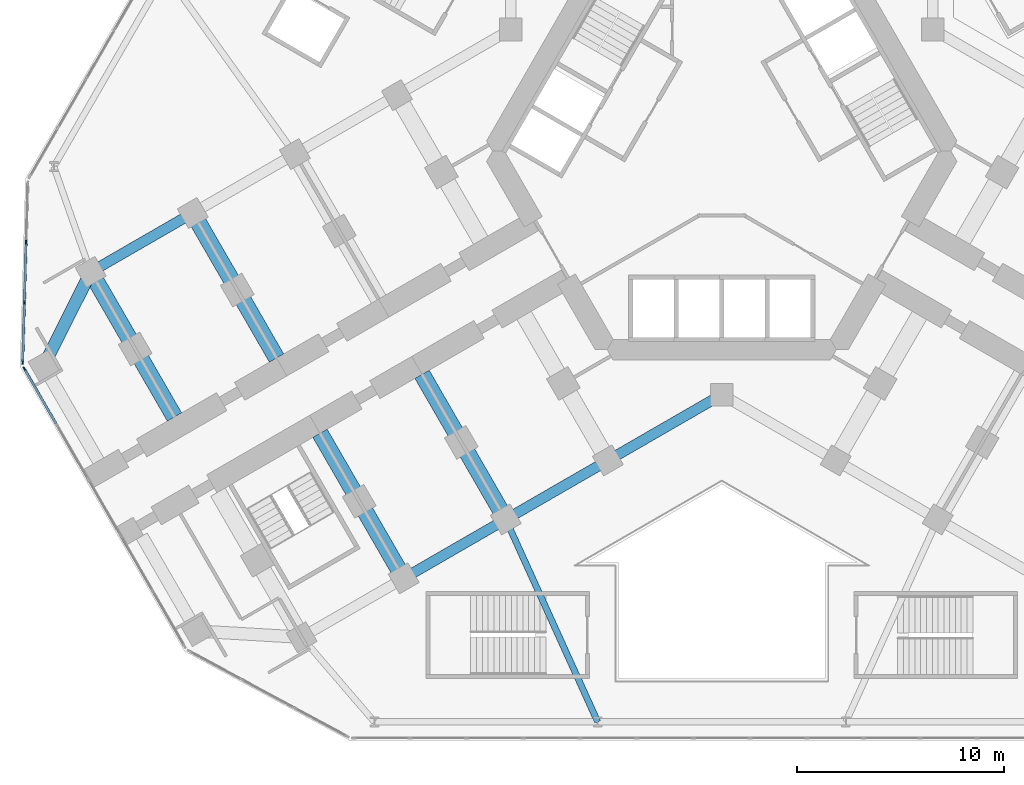
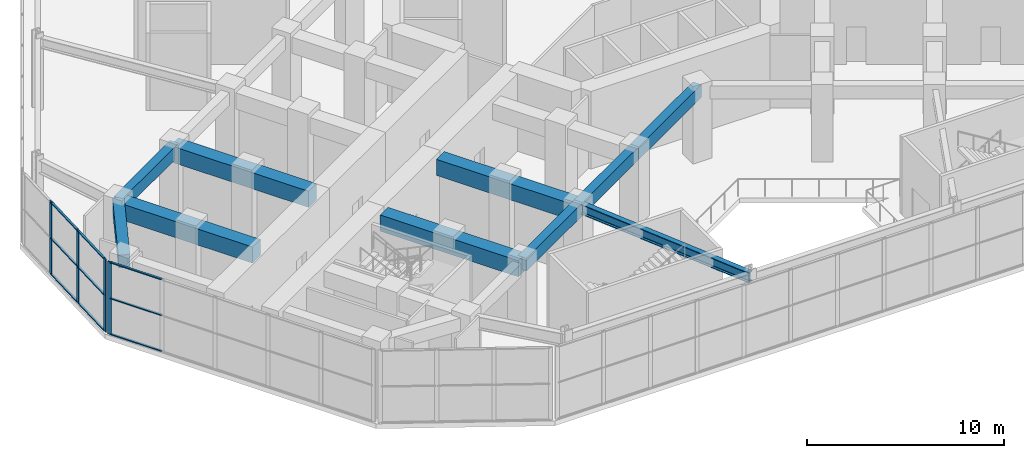
# One storey, part 3 of 21: 13 members, 10 beams, 2 elements without a shape of their own.
"""IFC4 building model written with IfcOpenShell, lengths in metres."""

import ifcopenshell
import ifcopenshell.guid

model = None  # the IFC model being written
_history = None  # IfcOwnerHistory: only IFC2X3 demands one
_inside = {}  # id of a spatial element -> (the spatial element, [elements in it])
_under = {}  # id of a project, library or spatial element -> (it, [spatial elements below it])
_declared = {}  # id of a project -> (the project, [libraries it declares])
_typed = {}  # id of a type object -> (the type object, [elements of that type])
_made_of = {}  # id of a material, layer set ... -> (it, [elements and type objects made of it])


def new_model(schema):
    """Start an empty IFC model of exactly this schema.

    Asked for "IFC4X3", IfcOpenShell would pick the latest addendum, in which some entities
    have other attributes; the version numbers below select the first issue.
    IFC2X3 requires an IfcOwnerHistory on every rooted entity: one is made here for all.
    """
    global model, _history
    if schema == "IFC4X3":
        model = ifcopenshell.file(schema_version=(4, 3, 0, 0))
    else:
        model = ifcopenshell.file(schema=schema)
    _inside.clear()
    _under.clear()
    _declared.clear()
    _typed.clear()
    _made_of.clear()
    _history = None
    if model.schema == "IFC2X3":
        org = make("IfcOrganization", Name="unknown")
        user = make(
            "IfcPersonAndOrganization",
            ThePerson=make("IfcPerson", FamilyName="unknown"),
            TheOrganization=org,
        )
        app = make(
            "IfcApplication",
            ApplicationDeveloper=org,
            Version="unknown",
            ApplicationFullName="unknown",
            ApplicationIdentifier="unknown",
        )
        _history = make(
            "IfcOwnerHistory",
            OwningUser=user,
            OwningApplication=app,
            ChangeAction="ADDED",
            CreationDate=0,
        )
    return model


def make(cls, **values):
    """One entity of the class cls with the attributes given. An attribute that is None is left unset."""
    return model.create_entity(
        cls, **{name: value for name, value in values.items() if value is not None}
    )


def rooted(cls, **values):
    """An entity with a GlobalId (a new one), such as an element, a storey or a relation."""
    return make(cls, GlobalId=ifcopenshell.guid.new(), OwnerHistory=_history, **values)


def si_unit(unit_type, name, prefix=None):
    """IfcSIUnit, for example si_unit("LENGTHUNIT", "METRE", prefix="MILLI")."""
    return make("IfcSIUnit", UnitType=unit_type, Prefix=prefix, Name=name)


def assignment(units):
    """IfcUnitAssignment: the units of a project."""
    return None if units is None else make("IfcUnitAssignment", Units=units)


def point(xyz):
    """IfcCartesianPoint."""
    return None if xyz is None else make("IfcCartesianPoint", Coordinates=xyz)


def direction(xyz):
    """IfcDirection."""
    return None if xyz is None else make("IfcDirection", DirectionRatios=xyz)


def frame(location, z_axis=None, x_axis=None):
    """IfcAxis2Placement3D, a coordinate frame: its origin and axes. An axis left out is left unset."""
    return make(
        "IfcAxis2Placement3D",
        Location=point(location),
        Axis=direction(z_axis),
        RefDirection=direction(x_axis),
    )


def frame_2d(location, x_axis=None):
    """IfcAxis2Placement2D, a coordinate frame in the plane: its origin and x axis."""
    return make(
        "IfcAxis2Placement2D", Location=point(location), RefDirection=direction(x_axis)
    )


def origin():
    """The frame at (0, 0, 0) with its axes left unset."""
    return frame((0.0, 0.0, 0.0))


def origin_2d():
    """The frame at (0, 0) in the plane with its x axis left unset."""
    return frame_2d((0.0, 0.0))


def place(relative_to, where):
    """IfcLocalPlacement: puts the frame where relative to a parent placement (None: the world)."""
    return make(
        "IfcLocalPlacement", PlacementRelTo=relative_to, RelativePlacement=where
    )


def context(
    kind, dimensions, precision=None, world=None, true_north=None, identifier=None
):
    """IfcGeometricRepresentationContext, for example the 3D "Model" context."""
    return make(
        "IfcGeometricRepresentationContext",
        ContextIdentifier=identifier,
        ContextType=kind,
        CoordinateSpaceDimension=dimensions,
        Precision=precision,
        WorldCoordinateSystem=world,
        TrueNorth=true_north,
    )


def subcontext(parent, identifier, kind, view, scale=None):
    """IfcGeometricRepresentationSubContext, for example "Body" below "Model"."""
    return make(
        "IfcGeometricRepresentationSubContext",
        ContextIdentifier=identifier,
        ContextType=kind,
        ParentContext=parent,
        TargetScale=scale,
        TargetView=view,
    )


def project(units=None, contexts=None):
    """IfcProject with its units and contexts."""
    return rooted(
        "IfcProject",
        Name="project",
        RepresentationContexts=contexts,
        UnitsInContext=assignment(units),
    )


def spatial(cls, under=None, at=None, **own):
    """A site, building, storey or space (cls), placed at a placement, below another one or the project."""
    s = rooted(cls, ObjectPlacement=at, **own)
    if under is not None:
        _under.setdefault(under.id(), (under, []))[1].append(s)
    return s


def profile(cls, at=None, kind="AREA", **sizes):
    """A parametric profile (cls). Its sizes go by their IFC names, for example OverallWidth=200.0."""
    return make(cls, ProfileType=kind, Position=at, **sizes)


def rectangle(**sizes):
    """IfcRectangleProfileDef."""
    return profile("IfcRectangleProfileDef", **sizes)


def i_section(**sizes):
    """IfcIShapeProfileDef."""
    return profile("IfcIShapeProfileDef", **sizes)


def extrude(swept, where, along, depth):
    """IfcExtrudedAreaSolid: the profile swept, set in the frame where, extruded along a direction by depth."""
    return make(
        "IfcExtrudedAreaSolid",
        SweptArea=swept,
        Position=where,
        ExtrudedDirection=direction(along),
        Depth=depth,
    )


def shape(context_of_items, identifier, shape_type, items):
    """IfcShapeRepresentation: the items that make up one representation, for example the "Body"."""
    return make(
        "IfcShapeRepresentation",
        ContextOfItems=context_of_items,
        RepresentationIdentifier=identifier,
        RepresentationType=shape_type,
        Items=items,
    )


def material(Name=None, Category=None):
    """IfcMaterial."""
    return make("IfcMaterial", Name=Name, Category=Category)


def material_profile(
    of_material, cross_section, Name=None, Category=None, Priority=None
):
    """IfcMaterialProfile: a cross section and its material."""
    return make(
        "IfcMaterialProfile",
        Name=Name,
        Material=of_material,
        Profile=cross_section,
        Priority=Priority,
        Category=Category,
    )


def profile_set(profiles, Name=None, composite=None):
    """IfcMaterialProfileSet."""
    return make(
        "IfcMaterialProfileSet",
        Name=Name,
        MaterialProfiles=profiles,
        CompositeProfile=composite,
    )


def made_of(thing, what):
    """Note that an element or type object is made of a material, layer set ...; save() writes the relation."""
    if what is not None:
        _made_of.setdefault(what.id(), (what, []))[1].append(thing)
    return thing


def type_object(cls, material=None, **own):
    """A type object (cls), such as IfcWallType, which elements share."""
    return made_of(rooted(cls, **own), material)


def element(
    cls,
    number,
    at=None,
    inside=None,
    cuts=None,
    type_object=None,
    material=None,
    context=None,
    identifier="Body",
    shape_type=None,
    held_by="IfcProductDefinitionShape",
    body=None,
    shapes=None,
    **own,
):
    """One element of the class cls, such as IfcWall. Its Tag is "e" and its number.

    at: its placement. inside: the storey or other place that contains it. cuts: it is an
    opening in that element (IfcRelVoidsElement). A single representation is given by context,
    identifier, shape_type and body (its items); several are given by shapes. held_by: the class
    of the entity that holds the representations. save() writes the other relations.
    """
    e = rooted(cls, Tag="e%d" % number, ObjectPlacement=at, **own)
    if body is not None:
        shapes = [shape(context, identifier, shape_type, body)]
    if shapes is not None:
        e.Representation = make(held_by, Representations=shapes)
    if inside is not None:
        _inside.setdefault(inside.id(), (inside, []))[1].append(e)
    if cuts is not None:
        rooted(
            "IfcRelVoidsElement", RelatingBuildingElement=cuts, RelatedOpeningElement=e
        )
    if type_object is not None:
        _typed.setdefault(type_object.id(), (type_object, []))[1].append(e)
    return made_of(e, material)


def aggregate(whole, parts):
    """IfcRelAggregates: a whole, such as a stair, and the parts it consists of."""
    return rooted("IfcRelAggregates", RelatingObject=whole, RelatedObjects=parts)


def save(model, path):
    """Write the relations noted so far, then the file.

    IfcRelAggregates (storeys below a building ...), IfcRelContainedInSpatialStructure (elements
    in a storey), IfcRelDefinesByType, IfcRelAssociatesMaterial and IfcRelDeclares: one each for
    every whole, place, type object, material and project.
    """
    for whole, parts in _under.values():
        aggregate(whole, parts)
    for where, things in _inside.values():
        rooted(
            "IfcRelContainedInSpatialStructure",
            RelatedElements=things,
            RelatingStructure=where,
        )
    for kind, things in _typed.values():
        rooted("IfcRelDefinesByType", RelatedObjects=things, RelatingType=kind)
    for what, things in _made_of.values():
        rooted("IfcRelAssociatesMaterial", RelatedObjects=things, RelatingMaterial=what)
    for by, libraries in _declared.values():
        rooted("IfcRelDeclares", RelatingContext=by, RelatedDefinitions=libraries)
    model.write(path)


model = new_model("IFC4")

# Units and contexts
model_context = context("Model", 3, precision=1e-05, world=origin(), true_north=direction((0.0, 1.0)))
body_context = subcontext(model_context, "Body", "Model", "MODEL_VIEW")
ifc_project = project(units=[si_unit("LENGTHUNIT", "METRE"), si_unit("AREAUNIT", "SQUARE_METRE"), si_unit("VOLUMEUNIT", "CUBIC_METRE"), si_unit("PLANEANGLEUNIT", "RADIAN"), si_unit("MASSUNIT", "GRAM", prefix="KILO")], contexts=[model_context])

# Site, building, storey
site_placement = place(None, origin())
site = spatial("IfcSite", under=ifc_project, at=site_placement, CompositionType="ELEMENT")
building_placement = place(site_placement, origin())
building = spatial("IfcBuilding", under=site, at=building_placement, Name="Kosmar Iwan School Tower", CompositionType="ELEMENT")
storey_placement = place(building_placement, frame((0.0, 0.0, 6.0)))
storey = spatial("IfcBuildingStorey", under=building, at=storey_placement, Name="L01", CompositionType="ELEMENT", Elevation=6.0)

# Beam
ifc_material_1 = material(Name="Steel S355", Category="steel")
ifc_material_profile_1 = material_profile(ifc_material_1, i_section(OverallWidth=0.304931640625, OverallDepth=0.6201171875, WebThickness=0.02099609375, FlangeThickness=0.0400390625, FilletRadius=0.027099609375, at=origin_2d()), Name="HE 600 M")
ifc_profile_set_1 = profile_set([ifc_material_profile_1], Name="Steel S355")
beam_type_1 = type_object("IfcBeamType", Name="Infill girder HE 600 M", PredefinedType="BEAM", material=ifc_profile_set_1)
beam_1_placement = place(storey_placement, frame((-6.0, -27.60009765625, 4.18994140625), z_axis=(-0.413361578077, 0.910566969404, 0.0), x_axis=(-0.910566969404, -0.413361578077, 0.0)))
element("IfcBeam", 1, at=beam_1_placement, inside=storey, type_object=beam_type_1, Name="Infill girder BC3", PredefinedType="BEAM", context=body_context, shape_type="SweptSolid", body=[
    extrude(i_section(OverallWidth=0.304931640625, OverallDepth=0.6201171875, WebThickness=0.02099609375, FlangeThickness=0.0400390625, FilletRadius=0.027099609375, at=origin_2d()), origin(), (0.0, 0.0, 1.0), 10.75341796875),
])

# Curtain wall, members
ifc_material_2 = material(Name="Dark glass in black aluminium frame", Category="aluminium")
curtain_wall_type_1 = type_object("IfcCurtainWallType", Name="Podium curtain wall", PredefinedType="USERDEFINED", material=ifc_material_2)
curtain_wall_1_placement = place(storey_placement, origin())
curtain_wall_1 = element("IfcCurtainWall", 2, at=curtain_wall_1_placement, inside=storey, type_object=curtain_wall_type_1, Name="Curtain wall L01-F09", ObjectType="STICK CURTAIN WALL", PredefinedType="USERDEFINED")
ifc_material_3 = material(Name="Black anodised aluminium", Category="aluminium")
ifc_material_profile_2 = material_profile(ifc_material_3, rectangle(XDim=0.06494140625, YDim=0.219970703125, at=origin_2d()), Name="MULLION 65x220")
ifc_profile_set_2 = profile_set([ifc_material_profile_2], Name="Black anodised aluminium")
member_type_1 = type_object("IfcMemberType", Name="Podium mullion 65x220", PredefinedType="MULLION", material=ifc_profile_set_2)
member_1_placement = place(storey_placement, frame((-33.644287109375, -4.4267578125, 0.0), z_axis=(0.0, 0.0, 1.0), x_axis=(0.999597032017, -0.028386151255, 0.0)))
member_1 = element("IfcMember", 3, at=member_1_placement, type_object=member_type_1, Name="CW3 mullion 2", PredefinedType="MULLION", context=body_context, shape_type="SweptSolid", body=[
    extrude(rectangle(XDim=0.06494140625, YDim=0.219970703125, at=origin_2d()), origin(), (0.0, 0.0, 1.0), 4.5),
])
member_2_placement = place(storey_placement, frame((-33.726806640625, -7.330078125, 0.0), z_axis=(0.0, 0.0, 1.0), x_axis=(0.999597032017, -0.028386151255, 0.0)))
member_2 = element("IfcMember", 4, at=member_2_placement, type_object=member_type_1, Name="CW3 mullion 3", PredefinedType="MULLION", context=body_context, shape_type="SweptSolid", body=[
    extrude(rectangle(XDim=0.06494140625, YDim=0.219970703125, at=origin_2d()), origin(), (0.0, 0.0, 1.0), 4.5),
])
member_3_placement = place(storey_placement, frame((-33.808349609375, -10.200927734375, 0.0), z_axis=(0.0, 0.0, 1.0), x_axis=(0.999597032017, -0.028386151255, 0.0)))
member_3 = element("IfcMember", 5, at=member_3_placement, type_object=member_type_1, Name="CW3 mullion 4", PredefinedType="MULLION", context=body_context, shape_type="SweptSolid", body=[
    extrude(rectangle(XDim=0.06494140625, YDim=0.219970703125, at=origin_2d()), origin(), (0.0, 0.0, 1.0), 4.5),
])

# Curtain wall, member
ifc_material_4 = material(Name="Dark glass in black aluminium frame", Category="aluminium")
curtain_wall_type_2 = type_object("IfcCurtainWallType", Name="Tower curtain wall dark glass", PredefinedType="USERDEFINED", material=ifc_material_4)
curtain_wall_2_placement = place(storey_placement, origin())
curtain_wall_2 = element("IfcCurtainWall", 6, at=curtain_wall_2_placement, inside=storey, type_object=curtain_wall_type_2, Name="Curtain wall L01-F10", ObjectType="UNITISED CURTAIN WALL", PredefinedType="USERDEFINED")
member_4_placement = place(storey_placement, frame((-33.72216796875, -10.541259765625, 0.0), z_axis=(0.0, 0.0, 1.0), x_axis=(0.866025395669, 0.500000014057, 0.0)))
member_4 = element("IfcMember", 7, at=member_4_placement, type_object=member_type_1, Name="CW1 mullion 1", PredefinedType="MULLION", context=body_context, shape_type="SweptSolid", body=[
    extrude(rectangle(XDim=0.06494140625, YDim=0.219970703125, at=origin_2d()), origin(), (0.0, 0.0, 1.0), 4.5),
])

# Beams
ifc_material_5 = material(Name="Concrete C50/60", Category="concrete")
ifc_material_profile_3 = material_profile(ifc_material_5, rectangle(XDim=0.5, YDim=0.800048828125, at=origin_2d()), Name="RC 500x800")
ifc_profile_set_3 = profile_set([ifc_material_profile_3], Name="Concrete C50/60")
beam_type_2 = type_object("IfcBeamType", Name="RC edge beam 500x800", PredefinedType="BEAM", material=ifc_profile_set_3)
beam_2_placement = place(storey_placement, frame((0.0, -11.77783203125, 4.10009765625), z_axis=(-0.866014293216, -0.500019243575, 0.0), x_axis=(0.500019243575, -0.866014293216, 0.0)))
element("IfcBeam", 8, at=beam_2_placement, inside=storey, type_object=beam_type_2, Name="Edge beam BL1", PredefinedType="BEAM", context=body_context, shape_type="SweptSolid", body=[
    extrude(rectangle(XDim=0.5, YDim=0.800048828125, at=origin_2d()), origin(), (0.0, 0.0, 1.0), 6.361083984375),
])
beam_3_placement = place(storey_placement, frame((-5.5087890625, -14.95849609375, 4.10009765625), z_axis=(-0.866033658841, -0.49998570155, 0.0), x_axis=(0.49998570155, -0.866033658841, 0.0)))
element("IfcBeam", 9, at=beam_3_placement, inside=storey, type_object=beam_type_2, Name="Edge beam BL2", PredefinedType="BEAM", context=body_context, shape_type="SweptSolid", body=[
    extrude(rectangle(XDim=0.5, YDim=0.800048828125, at=origin_2d()), origin(), (0.0, 0.0, 1.0), 5.699951171875),
])
beam_4_placement = place(storey_placement, frame((-10.445068359375, -17.808349609375, 4.10009765625), z_axis=(-0.866025820012, -0.499999279071, 0.0), x_axis=(0.499999279071, -0.866025820012, 0.0)))
element("IfcBeam", 10, at=beam_4_placement, inside=storey, type_object=beam_type_2, Name="Edge beam BL3", PredefinedType="BEAM", context=body_context, shape_type="SweptSolid", body=[
    extrude(rectangle(XDim=0.5, YDim=0.800048828125, at=origin_2d()), origin(), (0.0, 0.0, 1.0), 5.7001953125),
])
beam_5_placement = place(storey_placement, frame((-25.58154296875, -2.991455078125, 4.10009765625), z_axis=(-0.866015111908, -0.50001782563, 0.0), x_axis=(0.50001782563, -0.866015111908, 0.0)))
element("IfcBeam", 11, at=beam_5_placement, inside=storey, type_object=beam_type_2, Name="Edge beam BR4", PredefinedType="BEAM", context=body_context, shape_type="SweptSolid", body=[
    extrude(rectangle(XDim=0.5, YDim=0.800048828125, at=origin_2d()), origin(), (0.0, 0.0, 1.0), 5.699951171875),
])
ifc_material_6 = material(Name="Concrete C50/60", Category="concrete")
ifc_material_profile_4 = material_profile(ifc_material_6, rectangle(XDim=0.60009765625, YDim=0.800048828125, at=origin_2d()), Name="RC 600x800")
ifc_profile_set_4 = profile_set([ifc_material_profile_4], Name="Concrete C50/60")
beam_type_3 = type_object("IfcBeamType", Name="RC tip beam 600x800", PredefinedType="BEAM", material=ifc_profile_set_4)
beam_6_placement = place(storey_placement, frame((-30.517822265625, -5.841552734375, 4.10009765625), z_axis=(-0.44809604203, -0.893985423325, 0.0), x_axis=(0.893985423325, -0.44809604203, 0.0)))
element("IfcBeam", 12, at=beam_6_placement, inside=storey, type_object=beam_type_3, Name="Tip beam BR", PredefinedType="BEAM", context=body_context, shape_type="SweptSolid", body=[
    extrude(rectangle(XDim=0.60009765625, YDim=0.800048828125, at=origin_2d()), origin(), (0.0, 0.0, 1.0), 5.08935546875),
])
ifc_material_7 = material(Name="Concrete C50/60", Category="concrete")
ifc_material_profile_5 = material_profile(ifc_material_7, rectangle(XDim=0.800048828125, YDim=1.0, at=origin_2d()), Name="RC 800x1000")
ifc_profile_set_5 = profile_set([ifc_material_profile_5], Name="Concrete C50/60")
beam_type_4 = type_object("IfcBeamType", Name="RC transverse beam 800x1000", PredefinedType="BEAM", material=ifc_profile_set_5)
beam_7_placement = place(storey_placement, frame((-10.445068359375, -17.808349609375, 4.0), z_axis=(-0.500012932018, 0.866017937352, 0.0), x_axis=(-0.866017937352, -0.500012932018, 0.0)))
element("IfcBeam", 13, at=beam_7_placement, inside=storey, type_object=beam_type_4, Name="Transverse beam BL2", PredefinedType="BEAM", context=body_context, shape_type="SweptSolid", body=[
    extrude(rectangle(XDim=0.800048828125, YDim=1.0, at=origin_2d()), origin(), (0.0, 0.0, 1.0), 8.099853515625),
])
for number, where, z_axis, x_axis, name in (
    (14, (-15.381591796875, -20.658447265625, 4.0), (-0.499977274689, 0.866038523851, 0.0), (-0.866038523851, -0.499977274689, 0.0), "Transverse beam BL3"),
    (15, (-25.58154296875, -2.991455078125, 4.0), (0.499999880539, -0.866025472755, 0.0), (0.866025472755, 0.499999880539, 0.0), "Transverse beam BR3"),
    (16, (-30.517822265625, -5.841552734375, 4.0), (0.499999880539, -0.866025472755, 0.0), (0.866025472755, 0.499999880539, 0.0), "Transverse beam BR4"),
):
    element("IfcBeam", number, at=place(storey_placement, frame(where, z_axis=z_axis, x_axis=x_axis)), inside=storey, type_object=beam_type_4, Name=name, PredefinedType="BEAM", context=body_context, shape_type="SweptSolid", body=[
        extrude(rectangle(XDim=0.800048828125, YDim=1.0, at=origin_2d()), origin(), (0.0, 0.0, 1.0), 8.10009765625),
    ])

# Member
ifc_material_8 = material(Name="Black anodised aluminium", Category="aluminium")
ifc_material_profile_6 = material_profile(ifc_material_8, rectangle(XDim=0.1201171875, YDim=0.06005859375, at=origin_2d()), Name="TRANSOM 60x120")
ifc_profile_set_6 = profile_set([ifc_material_profile_6], Name="Black anodised aluminium")
member_type_2 = type_object("IfcMemberType", Name="Transom 60x120", PredefinedType="USERDEFINED", material=ifc_profile_set_6)
member_5_placement = place(storey_placement, frame((-33.645263671875, -4.459228515625, 0.030029296875), z_axis=(-0.028373227391, -0.99959739894, 0.0), x_axis=(0.99959739894, -0.028373227391, 0.0)))
member_5 = element("IfcMember", 17, at=member_5_placement, type_object=member_type_2, Name="CW3 transom 2.1", ObjectType="TRANSOM", PredefinedType="USERDEFINED", context=body_context, shape_type="SweptSolid", body=[
    extrude(rectangle(XDim=0.1201171875, YDim=0.06005859375, at=origin_2d()), origin(), (0.0, 0.0, 1.0), 2.839599609375),
])

member_6_placement = place(storey_placement, frame((-33.645263671875, -4.459228515625, 2.25), z_axis=(-0.028373227391, -0.99959739894, 0.0), x_axis=(0.99959739894, -0.028373227391, 0.0)))
member_6 = element("IfcMember", 18, at=member_6_placement, type_object=member_type_2, Name="CW3 transom 2.2", ObjectType="TRANSOM", PredefinedType="USERDEFINED", context=body_context, shape_type="SweptSolid", body=[
    extrude(rectangle(XDim=0.1201171875, YDim=0.06005859375, at=origin_2d()), origin(), (0.0, 0.0, 1.0), 2.839599609375),
])

member_7_placement = place(storey_placement, frame((-33.645263671875, -4.459228515625, 4.469970703125), z_axis=(-0.028373227391, -0.99959739894, 0.0), x_axis=(0.99959739894, -0.028373227391, 0.0)))
member_7 = element("IfcMember", 19, at=member_7_placement, type_object=member_type_2, Name="CW3 transom 2.3", ObjectType="TRANSOM", PredefinedType="USERDEFINED", context=body_context, shape_type="SweptSolid", body=[
    extrude(rectangle(XDim=0.1201171875, YDim=0.06005859375, at=origin_2d()), origin(), (0.0, 0.0, 1.0), 2.839599609375),
])

member_8_placement = place(storey_placement, frame((-33.727783203125, -7.362548828125, 0.030029296875), z_axis=(-0.028353687706, -0.999597953376, 0.0), x_axis=(0.999597953376, -0.028353687706, 0.0)))
member_8 = element("IfcMember", 20, at=member_8_placement, type_object=member_type_2, Name="CW3 transom 3.1", ObjectType="TRANSOM", PredefinedType="USERDEFINED", context=body_context, shape_type="SweptSolid", body=[
    extrude(rectangle(XDim=0.1201171875, YDim=0.06005859375, at=origin_2d()), origin(), (0.0, 0.0, 1.0), 2.80712890625),
])

member_9_placement = place(storey_placement, frame((-33.727783203125, -7.362548828125, 2.25), z_axis=(-0.028353687706, -0.999597953376, 0.0), x_axis=(0.999597953376, -0.028353687706, 0.0)))
member_9 = element("IfcMember", 21, at=member_9_placement, type_object=member_type_2, Name="CW3 transom 3.2", ObjectType="TRANSOM", PredefinedType="USERDEFINED", context=body_context, shape_type="SweptSolid", body=[
    extrude(rectangle(XDim=0.1201171875, YDim=0.06005859375, at=origin_2d()), origin(), (0.0, 0.0, 1.0), 2.80712890625),
])

member_10_placement = place(storey_placement, frame((-33.727783203125, -7.362548828125, 4.469970703125), z_axis=(-0.028353687706, -0.999597953376, 0.0), x_axis=(0.999597953376, -0.028353687706, 0.0)))
member_10 = element("IfcMember", 22, at=member_10_placement, type_object=member_type_2, Name="CW3 transom 3.3", ObjectType="TRANSOM", PredefinedType="USERDEFINED", context=body_context, shape_type="SweptSolid", body=[
    extrude(rectangle(XDim=0.1201171875, YDim=0.06005859375, at=origin_2d()), origin(), (0.0, 0.0, 1.0), 2.80712890625),
])

aggregate(curtain_wall_1, [member_1, member_2, member_3, member_5, member_6, member_7, member_8, member_9, member_10])

member_11_placement = place(storey_placement, frame((-33.7060546875, -10.5693359375, 0.030029296875), z_axis=(0.499970659234, -0.866042343021, 0.0), x_axis=(0.866042343021, 0.499970659234, 0.0)))
member_11 = element("IfcMember", 23, at=member_11_placement, type_object=member_type_2, Name="CW1 transom 1.1", ObjectType="TRANSOM", PredefinedType="USERDEFINED", context=body_context, shape_type="SweptSolid", body=[
    extrude(rectangle(XDim=0.1201171875, YDim=0.06005859375, at=origin_2d()), origin(), (0.0, 0.0, 1.0), 3.008544921875),
])

member_12_placement = place(storey_placement, frame((-33.7060546875, -10.5693359375, 2.25), z_axis=(0.499970659234, -0.866042343021, 0.0), x_axis=(0.866042343021, 0.499970659234, 0.0)))
member_12 = element("IfcMember", 24, at=member_12_placement, type_object=member_type_2, Name="CW1 transom 1.2", ObjectType="TRANSOM", PredefinedType="USERDEFINED", context=body_context, shape_type="SweptSolid", body=[
    extrude(rectangle(XDim=0.1201171875, YDim=0.06005859375, at=origin_2d()), origin(), (0.0, 0.0, 1.0), 3.008544921875),
])

member_13_placement = place(storey_placement, frame((-33.7060546875, -10.5693359375, 4.469970703125), z_axis=(0.499970659234, -0.866042343021, 0.0), x_axis=(0.866042343021, 0.499970659234, 0.0)))
member_13 = element("IfcMember", 25, at=member_13_placement, type_object=member_type_2, Name="CW1 transom 1.3", ObjectType="TRANSOM", PredefinedType="USERDEFINED", context=body_context, shape_type="SweptSolid", body=[
    extrude(rectangle(XDim=0.1201171875, YDim=0.06005859375, at=origin_2d()), origin(), (0.0, 0.0, 1.0), 3.008544921875),
])

aggregate(curtain_wall_2, [member_4, member_11, member_12, member_13])

save(model, "model.ifc")
